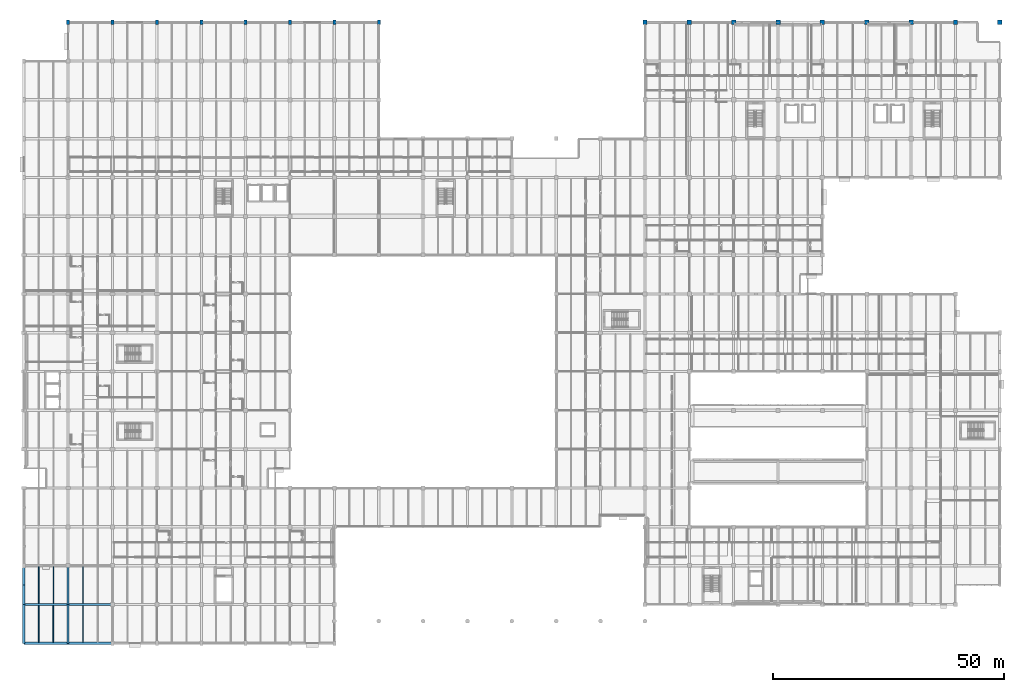
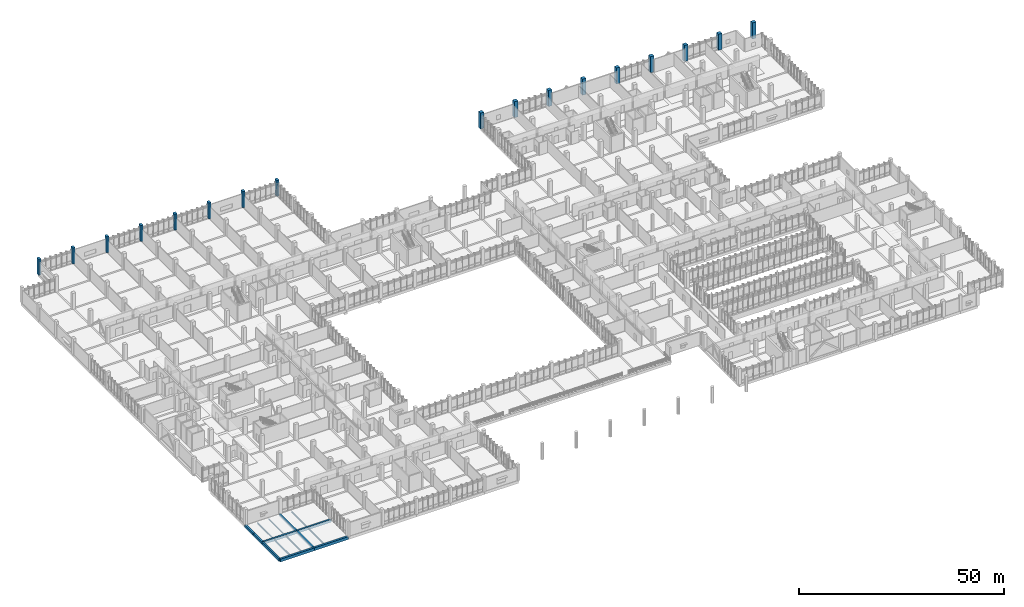
# One storey, part 7 of 152: 17 columns, 15 beams.
"""IFC4 building model written with IfcOpenShell, lengths in metres."""

import ifcopenshell
import ifcopenshell.guid

model = None  # the IFC model being written
_history = None  # IfcOwnerHistory: only IFC2X3 demands one
_inside = {}  # id of a spatial element -> (the spatial element, [elements in it])
_under = {}  # id of a project, library or spatial element -> (it, [spatial elements below it])
_declared = {}  # id of a project -> (the project, [libraries it declares])
_typed = {}  # id of a type object -> (the type object, [elements of that type])
_made_of = {}  # id of a material, layer set ... -> (it, [elements and type objects made of it])


def new_model(schema):
    """Start an empty IFC model of exactly this schema.

    Asked for "IFC4X3", IfcOpenShell would pick the latest addendum, in which some entities
    have other attributes; the version numbers below select the first issue.
    IFC2X3 requires an IfcOwnerHistory on every rooted entity: one is made here for all.
    """
    global model, _history
    if schema == "IFC4X3":
        model = ifcopenshell.file(schema_version=(4, 3, 0, 0))
    else:
        model = ifcopenshell.file(schema=schema)
    _inside.clear()
    _under.clear()
    _declared.clear()
    _typed.clear()
    _made_of.clear()
    _history = None
    if model.schema == "IFC2X3":
        org = make("IfcOrganization", Name="unknown")
        user = make(
            "IfcPersonAndOrganization",
            ThePerson=make("IfcPerson", FamilyName="unknown"),
            TheOrganization=org,
        )
        app = make(
            "IfcApplication",
            ApplicationDeveloper=org,
            Version="unknown",
            ApplicationFullName="unknown",
            ApplicationIdentifier="unknown",
        )
        _history = make(
            "IfcOwnerHistory",
            OwningUser=user,
            OwningApplication=app,
            ChangeAction="ADDED",
            CreationDate=0,
        )
    return model


def make(cls, **values):
    """One entity of the class cls with the attributes given. An attribute that is None is left unset."""
    return model.create_entity(
        cls, **{name: value for name, value in values.items() if value is not None}
    )


def rooted(cls, **values):
    """An entity with a GlobalId (a new one), such as an element, a storey or a relation."""
    return make(cls, GlobalId=ifcopenshell.guid.new(), OwnerHistory=_history, **values)


def si_unit(unit_type, name, prefix=None):
    """IfcSIUnit, for example si_unit("LENGTHUNIT", "METRE", prefix="MILLI")."""
    return make("IfcSIUnit", UnitType=unit_type, Prefix=prefix, Name=name)


def assignment(units):
    """IfcUnitAssignment: the units of a project."""
    return None if units is None else make("IfcUnitAssignment", Units=units)


def point(xyz):
    """IfcCartesianPoint."""
    return None if xyz is None else make("IfcCartesianPoint", Coordinates=xyz)


def direction(xyz):
    """IfcDirection."""
    return None if xyz is None else make("IfcDirection", DirectionRatios=xyz)


def frame(location, z_axis=None, x_axis=None):
    """IfcAxis2Placement3D, a coordinate frame: its origin and axes. An axis left out is left unset."""
    return make(
        "IfcAxis2Placement3D",
        Location=point(location),
        Axis=direction(z_axis),
        RefDirection=direction(x_axis),
    )


def frame_2d(location, x_axis=None):
    """IfcAxis2Placement2D, a coordinate frame in the plane: its origin and x axis."""
    return make(
        "IfcAxis2Placement2D", Location=point(location), RefDirection=direction(x_axis)
    )


def origin():
    """The frame at (0, 0, 0) with its axes left unset."""
    return frame((0.0, 0.0, 0.0))


def origin_2d():
    """The frame at (0, 0) in the plane with its x axis left unset."""
    return frame_2d((0.0, 0.0))


def place(relative_to, where):
    """IfcLocalPlacement: puts the frame where relative to a parent placement (None: the world)."""
    return make(
        "IfcLocalPlacement", PlacementRelTo=relative_to, RelativePlacement=where
    )


def context(
    kind, dimensions, precision=None, world=None, true_north=None, identifier=None
):
    """IfcGeometricRepresentationContext, for example the 3D "Model" context."""
    return make(
        "IfcGeometricRepresentationContext",
        ContextIdentifier=identifier,
        ContextType=kind,
        CoordinateSpaceDimension=dimensions,
        Precision=precision,
        WorldCoordinateSystem=world,
        TrueNorth=true_north,
    )


def subcontext(parent, identifier, kind, view, scale=None):
    """IfcGeometricRepresentationSubContext, for example "Body" below "Model"."""
    return make(
        "IfcGeometricRepresentationSubContext",
        ContextIdentifier=identifier,
        ContextType=kind,
        ParentContext=parent,
        TargetScale=scale,
        TargetView=view,
    )


def project(units=None, contexts=None):
    """IfcProject with its units and contexts."""
    return rooted(
        "IfcProject",
        Name="project",
        RepresentationContexts=contexts,
        UnitsInContext=assignment(units),
    )


def spatial(cls, under=None, at=None, **own):
    """A site, building, storey or space (cls), placed at a placement, below another one or the project."""
    s = rooted(cls, ObjectPlacement=at, **own)
    if under is not None:
        _under.setdefault(under.id(), (under, []))[1].append(s)
    return s


def profile(cls, at=None, kind="AREA", **sizes):
    """A parametric profile (cls). Its sizes go by their IFC names, for example OverallWidth=200.0."""
    return make(cls, ProfileType=kind, Position=at, **sizes)


def rectangle(**sizes):
    """IfcRectangleProfileDef."""
    return profile("IfcRectangleProfileDef", **sizes)


def i_section(**sizes):
    """IfcIShapeProfileDef."""
    return profile("IfcIShapeProfileDef", **sizes)


def extrude(swept, where, along, depth):
    """IfcExtrudedAreaSolid: the profile swept, set in the frame where, extruded along a direction by depth."""
    return make(
        "IfcExtrudedAreaSolid",
        SweptArea=swept,
        Position=where,
        ExtrudedDirection=direction(along),
        Depth=depth,
    )


def shape(context_of_items, identifier, shape_type, items):
    """IfcShapeRepresentation: the items that make up one representation, for example the "Body"."""
    return make(
        "IfcShapeRepresentation",
        ContextOfItems=context_of_items,
        RepresentationIdentifier=identifier,
        RepresentationType=shape_type,
        Items=items,
    )


def material(Name=None, Category=None):
    """IfcMaterial."""
    return make("IfcMaterial", Name=Name, Category=Category)


def material_profile(
    of_material, cross_section, Name=None, Category=None, Priority=None
):
    """IfcMaterialProfile: a cross section and its material."""
    return make(
        "IfcMaterialProfile",
        Name=Name,
        Material=of_material,
        Profile=cross_section,
        Priority=Priority,
        Category=Category,
    )


def profile_set(profiles, Name=None, composite=None):
    """IfcMaterialProfileSet."""
    return make(
        "IfcMaterialProfileSet",
        Name=Name,
        MaterialProfiles=profiles,
        CompositeProfile=composite,
    )


def made_of(thing, what):
    """Note that an element or type object is made of a material, layer set ...; save() writes the relation."""
    if what is not None:
        _made_of.setdefault(what.id(), (what, []))[1].append(thing)
    return thing


def type_object(cls, material=None, **own):
    """A type object (cls), such as IfcWallType, which elements share."""
    return made_of(rooted(cls, **own), material)


def element(
    cls,
    number,
    at=None,
    inside=None,
    cuts=None,
    type_object=None,
    material=None,
    context=None,
    identifier="Body",
    shape_type=None,
    held_by="IfcProductDefinitionShape",
    body=None,
    shapes=None,
    **own,
):
    """One element of the class cls, such as IfcWall. Its Tag is "e" and its number.

    at: its placement. inside: the storey or other place that contains it. cuts: it is an
    opening in that element (IfcRelVoidsElement). A single representation is given by context,
    identifier, shape_type and body (its items); several are given by shapes. held_by: the class
    of the entity that holds the representations. save() writes the other relations.
    """
    e = rooted(cls, Tag="e%d" % number, ObjectPlacement=at, **own)
    if body is not None:
        shapes = [shape(context, identifier, shape_type, body)]
    if shapes is not None:
        e.Representation = make(held_by, Representations=shapes)
    if inside is not None:
        _inside.setdefault(inside.id(), (inside, []))[1].append(e)
    if cuts is not None:
        rooted(
            "IfcRelVoidsElement", RelatingBuildingElement=cuts, RelatedOpeningElement=e
        )
    if type_object is not None:
        _typed.setdefault(type_object.id(), (type_object, []))[1].append(e)
    return made_of(e, material)


def aggregate(whole, parts):
    """IfcRelAggregates: a whole, such as a stair, and the parts it consists of."""
    return rooted("IfcRelAggregates", RelatingObject=whole, RelatedObjects=parts)


def save(model, path):
    """Write the relations noted so far, then the file.

    IfcRelAggregates (storeys below a building ...), IfcRelContainedInSpatialStructure (elements
    in a storey), IfcRelDefinesByType, IfcRelAssociatesMaterial and IfcRelDeclares: one each for
    every whole, place, type object, material and project.
    """
    for whole, parts in _under.values():
        aggregate(whole, parts)
    for where, things in _inside.values():
        rooted(
            "IfcRelContainedInSpatialStructure",
            RelatedElements=things,
            RelatingStructure=where,
        )
    for kind, things in _typed.values():
        rooted("IfcRelDefinesByType", RelatedObjects=things, RelatingType=kind)
    for what, things in _made_of.values():
        rooted("IfcRelAssociatesMaterial", RelatedObjects=things, RelatingMaterial=what)
    for by, libraries in _declared.values():
        rooted("IfcRelDeclares", RelatingContext=by, RelatedDefinitions=libraries)
    model.write(path)


model = new_model("IFC4")

# Units and contexts
model_context = context("Model", 3, precision=1e-05, world=origin(), true_north=direction((0.0, 1.0)))
body_context = subcontext(model_context, "Body", "Model", "MODEL_VIEW")
ifc_project = project(units=[si_unit("LENGTHUNIT", "METRE"), si_unit("AREAUNIT", "SQUARE_METRE"), si_unit("VOLUMEUNIT", "CUBIC_METRE"), si_unit("PLANEANGLEUNIT", "RADIAN"), si_unit("MASSUNIT", "GRAM", prefix="KILO")], contexts=[model_context])

# Site, building, storey
site_placement = place(None, origin())
site = spatial("IfcSite", under=ifc_project, at=site_placement, CompositionType="ELEMENT")
building_placement = place(site_placement, origin())
building = spatial("IfcBuilding", under=site, at=building_placement, Name="Oolite Switchyard Hospital", CompositionType="ELEMENT")
storey_placement = place(building_placement, frame((0.0, 0.0, 5.10009765625)))
storey = spatial("IfcBuildingStorey", under=building, at=storey_placement, Name="L01", CompositionType="ELEMENT", Elevation=5.10009765625)

# Columns
ifc_material_1 = material(Name="Concrete C50/60", Category="concrete")
ifc_material_profile_1 = material_profile(ifc_material_1, rectangle(XDim=0.949951171875, YDim=0.949951171875, at=origin_2d()), Name="RC950X950")
ifc_profile_set_1 = profile_set([ifc_material_profile_1], Name="Concrete C50/60")
column_type_1 = type_object("IfcColumnType", Name="COL-RC950", PredefinedType="COLUMN", material=ifc_profile_set_1)
for number, where, z_axis, x_axis, name in (
    (1, (134.39990234375, 134.39990234375, 0.0), (0.0, 0.0, 1.0), (1.0, 0.0, 0.0), "L01 Column 522"),
    (2, (144.0, 134.39990234375, 0.0), (0.0, 0.0, 1.0), (1.0, 0.0, 0.0), "L01 Column 538"),
    (3, (153.60009765625, 134.39990234375, 0.0), (0.0, 0.0, 1.0), (1.0, 0.0, 0.0), "L01 Column 556"),
    (4, (163.199951171875, 134.39990234375, 0.0), (0.0, 0.0, 1.0), (1.0, 0.0, 0.0), "L01 Column 572"),
    (5, (172.800048828125, 134.39990234375, 0.0), (0.0, 0.0, 1.0), (1.0, 0.0, 0.0), "L01 Column 586"),
    (6, (182.39990234375, 134.39990234375, 0.0), (0.0, 0.0, 1.0), (1.0, 0.0, 0.0), "L01 Column 604"),
    (7, (192.0, 134.39990234375, 0.0), (0.0, 0.0, 1.0), (1.0, 0.0, 0.0), "L01 Column 618"),
    (8, (201.60009765625, 134.39990234375, 0.0), (0.0, 0.0, 1.0), (1.0, 0.0, 0.0), "L01 Column 632"),
    (9, (211.199951171875, 134.39990234375, 0.0), (0.0, 0.0, 1.0), (1.0, 0.0, 0.0), "L01 Column 644"),
):
    element("IfcColumn", number, at=place(storey_placement, frame(where, z_axis=z_axis, x_axis=x_axis)), inside=storey, type_object=column_type_1, Name=name, PredefinedType="COLUMN", context=body_context, shape_type="SweptSolid", body=[
        extrude(rectangle(XDim=0.949951171875, YDim=0.949951171875, at=origin_2d()), origin(), (0.0, 0.0, 1.0), 4.7998046875),
    ])
ifc_material_profile_2 = material_profile(ifc_material_1, rectangle(XDim=0.949951171875, YDim=0.64990234375, at=origin_2d()), Name="RC950X650")
ifc_profile_set_2 = profile_set([ifc_material_profile_2], Name="Concrete C50/60")
column_type_2 = type_object("IfcColumnType", Name="COL-RCR950", PredefinedType="COLUMN", material=ifc_profile_set_2)
for number, where, z_axis, x_axis, name in (
    (10, (9.60009765625, 134.39990234375, 0.0), (0.0, 0.0, 1.0), (0.0, 1.0, 0.0), "L01 Column 358"),
    (11, (19.199951171875, 134.39990234375, 0.0), (0.0, 0.0, 1.0), (0.0, 1.0, 0.0), "L01 Column 375"),
    (12, (28.800048828125, 134.39990234375, 0.0), (0.0, 0.0, 1.0), (0.0, 1.0, 0.0), "L01 Column 392"),
    (13, (38.39990234375, 134.39990234375, 0.0), (0.0, 0.0, 1.0), (0.0, 1.0, 0.0), "L01 Column 409"),
    (14, (48.0, 134.39990234375, 0.0), (0.0, 0.0, 1.0), (0.0, 1.0, 0.0), "L01 Column 426"),
    (15, (57.60009765625, 134.39990234375, 0.0), (0.0, 0.0, 1.0), (0.0, 1.0, 0.0), "L01 Column 443"),
    (16, (67.199951171875, 134.39990234375, 0.0), (0.0, 0.0, 1.0), (0.0, 1.0, 0.0), "L01 Column 456"),
    (17, (76.800048828125, 134.39990234375, 0.0), (0.0, 0.0, 1.0), (0.0, 1.0, 0.0), "L01 Column 465"),
):
    element("IfcColumn", number, at=place(storey_placement, frame(where, z_axis=z_axis, x_axis=x_axis)), inside=storey, type_object=column_type_2, Name=name, PredefinedType="COLUMN", context=body_context, shape_type="SweptSolid", body=[
        extrude(rectangle(XDim=0.949951171875, YDim=0.64990234375, at=origin_2d()), origin(), (0.0, 0.0, 1.0), 4.7998046875),
    ])

# Beams
ifc_material_2 = material(Name="Concrete C40/50", Category="concrete")
ifc_material_profile_3 = material_profile(ifc_material_2, rectangle(XDim=0.449951171875, YDim=0.64990234375, at=origin_2d()), Name="RCB450X650")
ifc_profile_set_3 = profile_set([ifc_material_profile_3], Name="Concrete C40/50")
beam_type_1 = type_object("IfcBeamType", Name="BM-RC450X650", PredefinedType="BEAM", material=ifc_profile_set_3)
beam_1_placement = place(storey_placement, frame((9.60009765625, 0.0, -0.3251953125), z_axis=(0.0, 1.0, 0.0), x_axis=(-1.0, 0.0, 0.0)))
element("IfcBeam", 18, at=beam_1_placement, inside=storey, type_object=beam_type_1, Name="L01 Y-Girder 302", PredefinedType="BEAM", context=body_context, shape_type="SweptSolid", body=[
    extrude(rectangle(XDim=0.449951171875, YDim=0.64990234375, at=origin_2d()), origin(), (0.0, 0.0, 1.0), 8.39990234375),
])
beam_2_placement = place(storey_placement, frame((9.60009765625, 8.39990234375, -0.3251953125), z_axis=(0.0, 1.0, 0.0), x_axis=(-1.0, 0.0, 0.0)))
element("IfcBeam", 19, at=beam_2_placement, inside=storey, type_object=beam_type_1, Name="L01 Y-Girder 303", PredefinedType="BEAM", context=body_context, shape_type="SweptSolid", body=[
    extrude(rectangle(XDim=0.449951171875, YDim=0.64990234375, at=origin_2d()), origin(), (0.0, 0.0, 1.0), 8.400146484375),
])
ifc_material_profile_4 = material_profile(ifc_material_2, rectangle(XDim=0.5, YDim=0.800048828125, at=origin_2d()), Name="RCB500X800")
ifc_profile_set_4 = profile_set([ifc_material_profile_4], Name="Concrete C40/50")
beam_type_2 = type_object("IfcBeamType", Name="BM-RC500X800", PredefinedType="BEAM", material=ifc_profile_set_4)
beam_3_placement = place(storey_placement, frame((0.0, 8.39990234375, -0.400146484375), z_axis=(1.0, 0.0, 0.0), x_axis=(0.0, 1.0, 0.0)))
element("IfcBeam", 20, at=beam_3_placement, inside=storey, type_object=beam_type_2, Name="L01 X-Girder 8", PredefinedType="BEAM", context=body_context, shape_type="SweptSolid", body=[
    extrude(rectangle(XDim=0.5, YDim=0.800048828125, at=origin_2d()), origin(), (0.0, 0.0, 1.0), 9.60009765625),
])
beam_4_placement = place(storey_placement, frame((9.60009765625, 8.39990234375, -0.400146484375), z_axis=(1.0, 0.0, 0.0), x_axis=(0.0, 1.0, 0.0)))
element("IfcBeam", 21, at=beam_4_placement, inside=storey, type_object=beam_type_2, Name="L01 X-Girder 9", PredefinedType="BEAM", context=body_context, shape_type="SweptSolid", body=[
    extrude(rectangle(XDim=0.5, YDim=0.800048828125, at=origin_2d()), origin(), (0.0, 0.0, 1.0), 9.599853515625),
])
beam_5_placement = place(storey_placement, frame((0.0, 0.0, -0.400146484375), z_axis=(0.0, 1.0, 0.0), x_axis=(-1.0, 0.0, 0.0)))
element("IfcBeam", 22, at=beam_5_placement, inside=storey, type_object=beam_type_2, Name="L01 Y-Girder 285", PredefinedType="BEAM", context=body_context, shape_type="SweptSolid", body=[
    extrude(rectangle(XDim=0.5, YDim=0.800048828125, at=origin_2d()), origin(), (0.0, 0.0, 1.0), 8.39990234375),
])
beam_6_placement = place(storey_placement, frame((0.0, 8.39990234375, -0.400146484375), z_axis=(0.0, 1.0, 0.0), x_axis=(-1.0, 0.0, 0.0)))
element("IfcBeam", 23, at=beam_6_placement, inside=storey, type_object=beam_type_2, Name="L01 Y-Girder 286", PredefinedType="BEAM", context=body_context, shape_type="SweptSolid", body=[
    extrude(rectangle(XDim=0.5, YDim=0.800048828125, at=origin_2d()), origin(), (0.0, 0.0, 1.0), 4.2001953125),
])
beam_7_placement = place(storey_placement, frame((0.0, 12.60009765625, -0.400146484375), z_axis=(0.0, 1.0, 0.0), x_axis=(-1.0, 0.0, 0.0)))
element("IfcBeam", 24, at=beam_7_placement, inside=storey, type_object=beam_type_2, Name="L01 Y-Girder 287", PredefinedType="BEAM", context=body_context, shape_type="SweptSolid", body=[
    extrude(rectangle(XDim=0.5, YDim=0.800048828125, at=origin_2d()), origin(), (0.0, 0.0, 1.0), 4.199951171875),
])
ifc_material_profile_5 = material_profile(ifc_material_2, rectangle(XDim=0.550048828125, YDim=0.85009765625, at=origin_2d()), Name="RCB550X850")
ifc_profile_set_5 = profile_set([ifc_material_profile_5], Name="Concrete C40/50")
beam_type_3 = type_object("IfcBeamType", Name="BM-RC550X850", PredefinedType="BEAM", material=ifc_profile_set_5)
beam_8_placement = place(storey_placement, frame((0.0, 0.0, -0.425048828125), z_axis=(1.0, 0.0, 0.0), x_axis=(0.0, 1.0, 0.0)))
element("IfcBeam", 25, at=beam_8_placement, inside=storey, type_object=beam_type_3, Name="L01 X-Girder 1", PredefinedType="BEAM", context=body_context, shape_type="SweptSolid", body=[
    extrude(rectangle(XDim=0.550048828125, YDim=0.85009765625, at=origin_2d()), origin(), (0.0, 0.0, 1.0), 9.60009765625),
])
beam_9_placement = place(storey_placement, frame((9.60009765625, 0.0, -0.425048828125), z_axis=(1.0, 0.0, 0.0), x_axis=(0.0, 1.0, 0.0)))
element("IfcBeam", 26, at=beam_9_placement, inside=storey, type_object=beam_type_3, Name="L01 X-Girder 2", PredefinedType="BEAM", context=body_context, shape_type="SweptSolid", body=[
    extrude(rectangle(XDim=0.550048828125, YDim=0.85009765625, at=origin_2d()), origin(), (0.0, 0.0, 1.0), 9.599853515625),
])
ifc_material_3 = material(Name="Steel ASTM A992 Grade 50", Category="steel")
ifc_material_profile_6 = material_profile(ifc_material_3, i_section(OverallWidth=0.153076171875, OverallDepth=0.455078125, WebThickness=0.008056640625, FlangeThickness=0.012939453125, at=origin_2d()), Name="W18X40")
ifc_profile_set_6 = profile_set([ifc_material_profile_6], Name="Steel ASTM A992 Grade 50")
beam_type_4 = type_object("IfcBeamType", Name="BM-W18X40", PredefinedType="JOIST", material=ifc_profile_set_6)
for number, where, z_axis, x_axis, name in (
    (27, (6.39990234375, 8.64990234375, -0.447998046875), (0.0, 1.0, 0.0), (-1.0, 0.0, 0.0), "L01 Secondary Steel Joist 565"),
    (28, (12.800048828125, 8.64990234375, -0.447998046875), (0.0, 1.0, 0.0), (-1.0, 0.0, 0.0), "L01 Secondary Steel Joist 592"),
):
    element("IfcBeam", number, at=place(storey_placement, frame(where, z_axis=z_axis, x_axis=x_axis)), inside=storey, type_object=beam_type_4, Name=name, PredefinedType="JOIST", context=body_context, shape_type="SweptSolid", body=[
        extrude(i_section(OverallWidth=0.153076171875, OverallDepth=0.455078125, WebThickness=0.008056640625, FlangeThickness=0.012939453125, at=origin_2d()), origin(), (0.0, 0.0, 1.0), 7.900146484375),
    ])
ifc_material_profile_7 = material_profile(ifc_material_3, i_section(OverallWidth=0.19091796875, OverallDepth=0.4599609375, WebThickness=0.010009765625, FlangeThickness=0.01611328125, at=origin_2d()), Name="W18X55")
ifc_profile_set_7 = profile_set([ifc_material_profile_7], Name="Steel ASTM A992 Grade 50")
beam_type_5 = type_object("IfcBeamType", Name="BM-W18X55", PredefinedType="JOIST", material=ifc_profile_set_7)
beam_10_placement = place(storey_placement, frame((6.39990234375, 0.27490234375, -0.4501953125), z_axis=(0.0, 1.0, 0.0), x_axis=(-1.0, 0.0, 0.0)))
element("IfcBeam", 29, at=beam_10_placement, inside=storey, type_object=beam_type_5, Name="L01 Secondary Steel Joist 563", PredefinedType="JOIST", context=body_context, shape_type="SweptSolid", body=[
    extrude(i_section(OverallWidth=0.19091796875, OverallDepth=0.4599609375, WebThickness=0.010009765625, FlangeThickness=0.01611328125, at=origin_2d()), origin(), (0.0, 0.0, 1.0), 7.875),
])
beam_11_placement = place(storey_placement, frame((3.199951171875, 8.64990234375, -0.4501953125), z_axis=(0.0, 1.0, 0.0), x_axis=(-1.0, 0.0, 0.0)))
element("IfcBeam", 30, at=beam_11_placement, inside=storey, type_object=beam_type_5, Name="L01 Secondary Steel Joist 564", PredefinedType="JOIST", context=body_context, shape_type="SweptSolid", body=[
    extrude(i_section(OverallWidth=0.19091796875, OverallDepth=0.4599609375, WebThickness=0.010009765625, FlangeThickness=0.01611328125, at=origin_2d()), origin(), (0.0, 0.0, 1.0), 7.900146484375),
])
beam_12_placement = place(storey_placement, frame((12.800048828125, 0.27490234375, -0.4501953125), z_axis=(0.0, 1.0, 0.0), x_axis=(-1.0, 0.0, 0.0)))
element("IfcBeam", 31, at=beam_12_placement, inside=storey, type_object=beam_type_5, Name="L01 Secondary Steel Joist 590", PredefinedType="JOIST", context=body_context, shape_type="SweptSolid", body=[
    extrude(i_section(OverallWidth=0.19091796875, OverallDepth=0.4599609375, WebThickness=0.010009765625, FlangeThickness=0.01611328125, at=origin_2d()), origin(), (0.0, 0.0, 1.0), 7.875),
])
ifc_material_profile_8 = material_profile(ifc_material_3, i_section(OverallWidth=0.166015625, OverallDepth=0.529052734375, WebThickness=0.010009765625, FlangeThickness=0.013916015625, at=origin_2d()), Name="W21X50")
ifc_profile_set_8 = profile_set([ifc_material_profile_8], Name="Steel ASTM A992 Grade 50")
beam_type_6 = type_object("IfcBeamType", Name="BM-W21X50", PredefinedType="JOIST", material=ifc_profile_set_8)
beam_13_placement = place(storey_placement, frame((3.199951171875, 0.27490234375, -0.484130859375), z_axis=(0.0, 1.0, 0.0), x_axis=(-1.0, 0.0, 0.0)))
element("IfcBeam", 32, at=beam_13_placement, inside=storey, type_object=beam_type_6, Name="L01 Secondary Steel Joist 562", PredefinedType="JOIST", context=body_context, shape_type="SweptSolid", body=[
    extrude(i_section(OverallWidth=0.166015625, OverallDepth=0.529052734375, WebThickness=0.010009765625, FlangeThickness=0.013916015625, at=origin_2d()), origin(), (0.0, 0.0, 1.0), 7.875),
])

save(model, "model.ifc")
